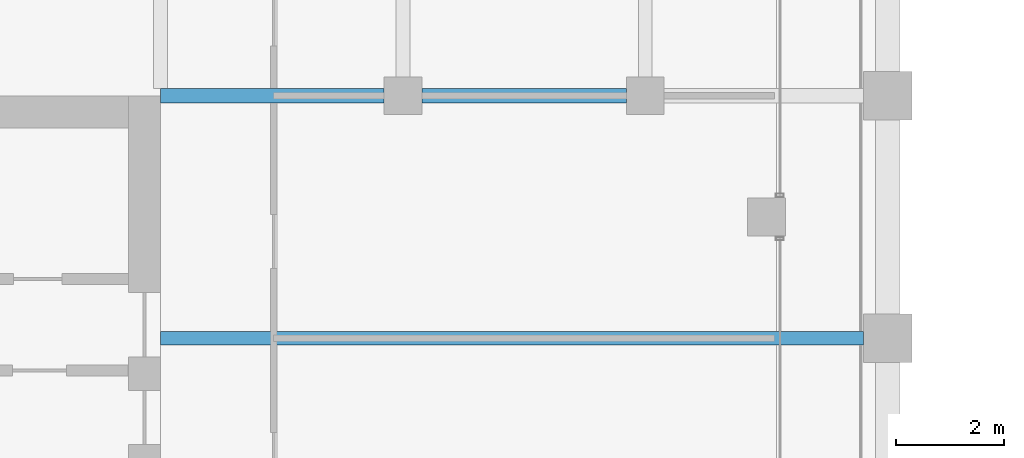
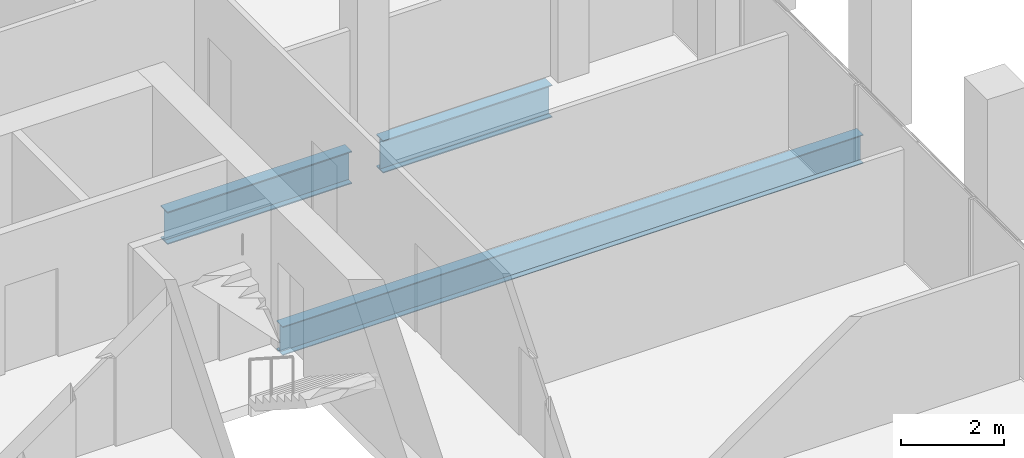
# One storey, part 18 of 40: 3 beams.
"""IFC4 building model written with IfcOpenShell, lengths in metres."""

from ifc_helpers import new_model, si_unit, direction, frame, origin, origin_2d, place, context, subcontext, project, spatial, i_section, extrude, material, material_profile, profile_set, type_object, element, save


model = new_model("IFC4")

# Units and contexts
model_context = context("Model", 3, precision=1e-05, world=origin(), true_north=direction((0.0, 1.0)))
body_context = subcontext(model_context, "Body", "Model", "MODEL_VIEW")
ifc_project = project(units=[si_unit("LENGTHUNIT", "METRE"), si_unit("AREAUNIT", "SQUARE_METRE"), si_unit("VOLUMEUNIT", "CUBIC_METRE"), si_unit("PLANEANGLEUNIT", "RADIAN"), si_unit("MASSUNIT", "GRAM", prefix="KILO")], contexts=[model_context])

# Site, building, storey
site_placement = place(None, origin())
site = spatial("IfcSite", under=ifc_project, at=site_placement, CompositionType="ELEMENT")
building_placement = place(site_placement, origin())
building = spatial("IfcBuilding", under=site, at=building_placement, Name="Altepetl Exchange Towers", CompositionType="ELEMENT")
storey_placement = place(building_placement, frame((0.0, 0.0, 147.39990234375)))
storey = spatial("IfcBuildingStorey", under=building, at=storey_placement, Name="L36", CompositionType="ELEMENT", Elevation=147.39990234375)

# Beams
ifc_material = material(Name="Steel S355", Category="steel")
ifc_material_profile_1 = material_profile(ifc_material, i_section(OverallWidth=0.25390625, OverallDepth=0.68408203125, WebThickness=0.012451171875, FlangeThickness=0.018798828125, at=origin_2d()), Name="W27X94")
ifc_profile_set_1 = profile_set([ifc_material_profile_1], Name="Steel S355")
beam_type_1 = type_object("IfcBeamType", Name="Floor beam W27X94", PredefinedType="BEAM", material=ifc_profile_set_1)
beam_1_placement = place(storey_placement, frame((58.5, 54.0, -0.491943359375), z_axis=(1.0, 0.0, 0.0), x_axis=(0.0, 1.0, 0.0)))
element("IfcBeam", 1, at=beam_1_placement, inside=storey, type_object=beam_type_1, Name="bm:A:L36:011", PredefinedType="BEAM", context=body_context, shape_type="SweptSolid", body=[
    extrude(i_section(OverallWidth=0.25390625, OverallDepth=0.68408203125, WebThickness=0.012451171875, FlangeThickness=0.018798828125, at=origin_2d()), origin(), (0.0, 0.0, 1.0), 13.050048828125),
])
ifc_material_profile_2 = material_profile(ifc_material, i_section(OverallWidth=0.26806640625, OverallDepth=0.77392578125, WebThickness=0.015380859375, FlangeThickness=0.025390625, at=origin_2d()), Name="W30X132")
ifc_profile_set_2 = profile_set([ifc_material_profile_2], Name="Steel S355")
beam_type_2 = type_object("IfcBeamType", Name="Girder W30X132", PredefinedType="BEAM", material=ifc_profile_set_2)
beam_2_placement = place(storey_placement, frame((58.5, 58.5, -0.536865234375), z_axis=(1.0, 0.0, 0.0), x_axis=(0.0, 1.0, 0.0)))
element("IfcBeam", 2, at=beam_2_placement, inside=storey, type_object=beam_type_2, Name="gd:A:L36:000", PredefinedType="BEAM", context=body_context, shape_type="SweptSolid", body=[
    extrude(i_section(OverallWidth=0.26806640625, OverallDepth=0.77392578125, WebThickness=0.015380859375, FlangeThickness=0.025390625, at=origin_2d()), origin(), (0.0, 0.0, 1.0), 4.14990234375),
])
beam_3_placement = place(storey_placement, frame((63.35009765625, 58.5, -0.536865234375), z_axis=(1.0, 0.0, 0.0), x_axis=(0.0, 1.0, 0.0)))
element("IfcBeam", 3, at=beam_3_placement, inside=storey, type_object=beam_type_2, Name="gd:A:L36:001", PredefinedType="BEAM", context=body_context, shape_type="SweptSolid", body=[
    extrude(i_section(OverallWidth=0.26806640625, OverallDepth=0.77392578125, WebThickness=0.015380859375, FlangeThickness=0.025390625, at=origin_2d()), origin(), (0.0, 0.0, 1.0), 3.7998046875),
])

save(model, "model.ifc")
